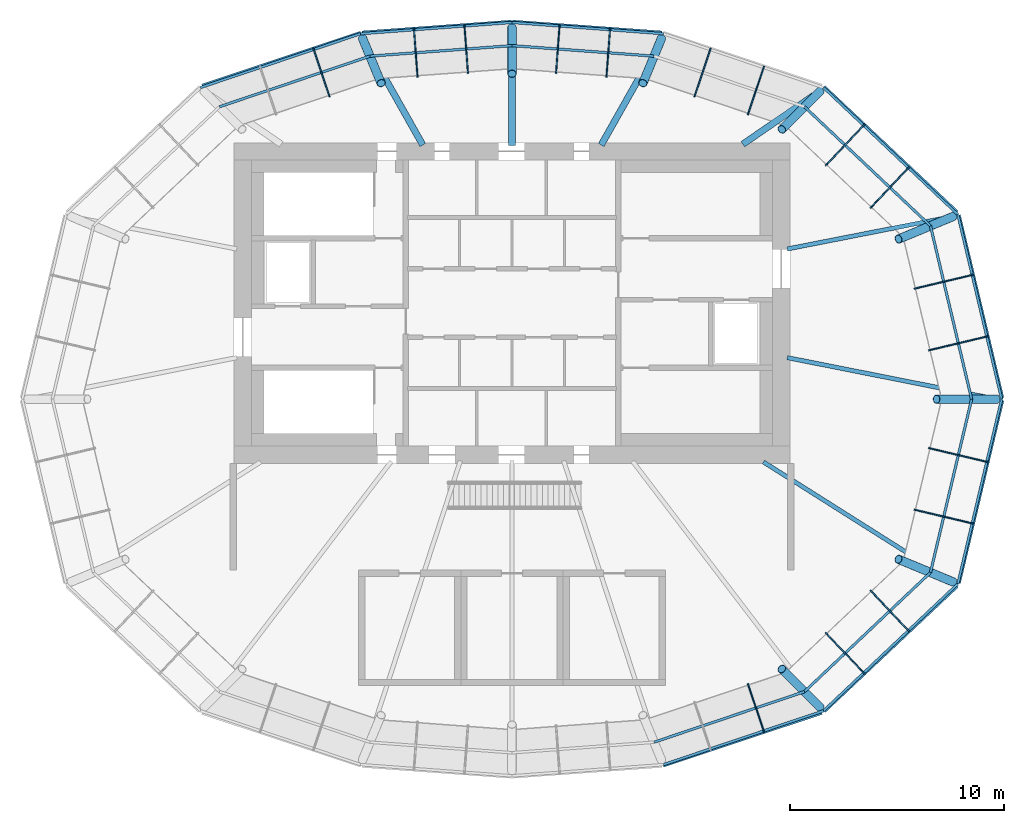
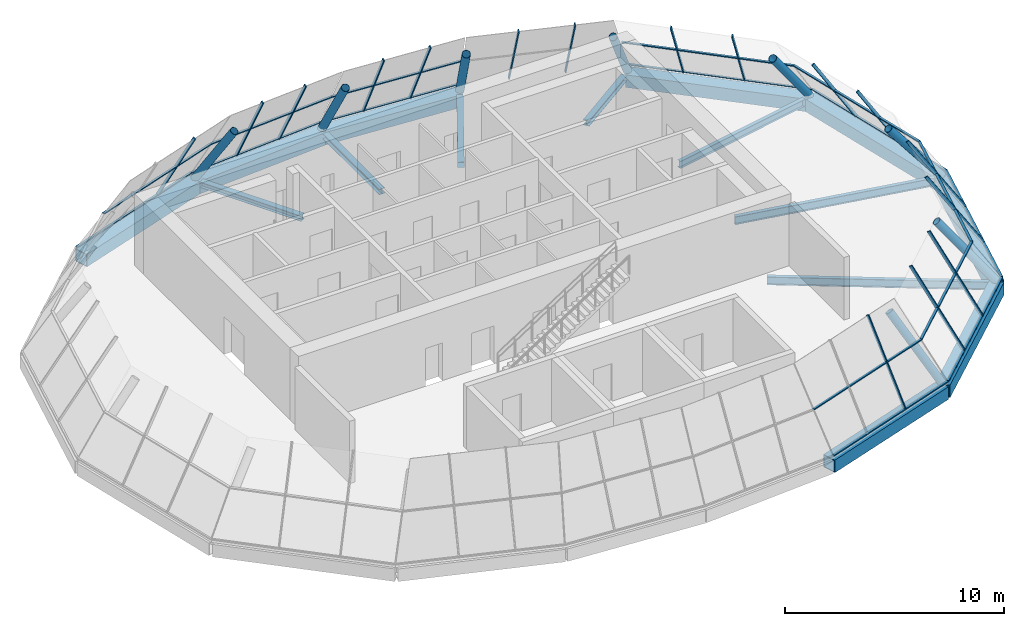
# One storey, part 2 of 8: 40 members, 15 beams, 9 elements without a shape of their own.
"""IFC4 building model written with IfcOpenShell, lengths in metres."""

from ifc_helpers import new_model, si_unit, direction, frame, origin, origin_2d, place, context, subcontext, project, spatial, rectangle, hollow_rectangle, hollow_circle, i_section, extrude, material, material_profile, profile_set, type_object, element, aggregate, save


model = new_model("IFC4")

# Units and contexts
model_context = context("Model", 3, precision=1e-05, world=origin(), true_north=direction((0.0, 1.0)))
body_context = subcontext(model_context, "Body", "Model", "MODEL_VIEW")
ifc_project = project(units=[si_unit("LENGTHUNIT", "METRE"), si_unit("AREAUNIT", "SQUARE_METRE"), si_unit("VOLUMEUNIT", "CUBIC_METRE"), si_unit("PLANEANGLEUNIT", "RADIAN"), si_unit("MASSUNIT", "GRAM", prefix="KILO")], contexts=[model_context])

# Site, building, storey
site_placement = place(None, origin())
site = spatial("IfcSite", under=ifc_project, at=site_placement, CompositionType="ELEMENT")
building_placement = place(site_placement, origin())
building = spatial("IfcBuilding", under=site, at=building_placement, Name="Rubra Terraces Tower", CompositionType="ELEMENT")
storey_placement = place(building_placement, frame((0.0, 0.0, 316.199951171875)))
storey = spatial("IfcBuildingStorey", under=building, at=storey_placement, Name="L78", CompositionType="ELEMENT", Elevation=316.199951171875)

# Members
ifc_material_1 = material(Name="Steel Q355B", Category="steel")
ifc_material_profile_1 = material_profile(ifc_material_1, hollow_circle(Radius=0.202880859375, WallThickness=0.01611328125, at=origin_2d()), Name="CHS 406x16")
ifc_profile_set_1 = profile_set([ifc_material_profile_1], Name="Steel Q355B")
member_type_1 = type_object("IfcMemberType", Name="CROWN POST CHS 406x16", PredefinedType="POST", material=ifc_profile_set_1)
member_1_placement = place(storey_placement, frame((22.68408203125, 0.0, -0.199951171875), z_axis=(-0.615998522019, 0.0, 0.787747307752), x_axis=(0.0, -1.0, 0.0)))
element("IfcMember", 1, at=member_1_placement, inside=storey, type_object=member_type_1, Name="CROWN POST", PredefinedType="POST", context=body_context, shape_type="SweptSolid", body=[
    extrude(hollow_circle(Radius=0.202880859375, WallThickness=0.01611328125, at=origin_2d()), origin(), (0.0, 0.0, 1.0), 4.570068359375),
])
member_2_placement = place(storey_placement, frame((20.649658203125, 8.5537109375, -0.199951171875), z_axis=(-0.563914666972, -0.233612582079, 0.792101893615), x_axis=(0.382727451417, -0.923861297994, 0.0)))
element("IfcMember", 2, at=member_2_placement, inside=storey, type_object=member_type_1, Name="CROWN POST", PredefinedType="POST", context=body_context, shape_type="SweptSolid", body=[
    extrude(hollow_circle(Radius=0.202880859375, WallThickness=0.01611328125, at=origin_2d()), origin(), (0.0, 0.0, 1.0), 4.544921875),
])
member_3_placement = place(storey_placement, frame((14.418212890625, 14.418212890625, -0.199951171875), z_axis=(-0.407027405897, -0.407027405897, 0.817714731247), x_axis=(0.707106781187, -0.707106781187, 0.0)))
element("IfcMember", 3, at=member_3_placement, inside=storey, type_object=member_type_1, Name="CROWN POST", PredefinedType="POST", context=body_context, shape_type="SweptSolid", body=[
    extrude(hollow_circle(Radius=0.202880859375, WallThickness=0.01611328125, at=origin_2d()), origin(), (0.0, 0.0, 1.0), 4.402587890625),
])
member_4_placement = place(storey_placement, frame((6.994873046875, 16.8876953125, -0.199951171875), z_axis=(-0.204367805696, -0.493200756675, 0.845568928953), x_axis=(0.923828290314, -0.382807118554, 0.0)))
element("IfcMember", 4, at=member_4_placement, inside=storey, type_object=member_type_1, Name="CROWN POST", PredefinedType="POST", context=body_context, shape_type="SweptSolid", body=[
    extrude(hollow_circle(Radius=0.202880859375, WallThickness=0.01611328125, at=origin_2d()), origin(), (0.0, 0.0, 1.0), 4.257568359375),
])
member_5_placement = place(storey_placement, frame((0.0, 17.39599609375, -0.199951171875), z_axis=(0.0, -0.515537908607, 0.856866771902), x_axis=(1.0, 0.0, 0.0)))
element("IfcMember", 5, at=member_5_placement, inside=storey, type_object=member_type_1, Name="CROWN POST", PredefinedType="POST", context=body_context, shape_type="SweptSolid", body=[
    extrude(hollow_circle(Radius=0.202880859375, WallThickness=0.01611328125, at=origin_2d()), origin(), (0.0, 0.0, 1.0), 4.201416015625),
])
member_6_placement = place(storey_placement, frame((-6.994873046875, 16.8876953125, -0.199951171875), z_axis=(0.204367805696, -0.493200756675, 0.845568928953), x_axis=(0.923828290314, 0.382807118554, 0.0)))
element("IfcMember", 6, at=member_6_placement, inside=storey, type_object=member_type_1, Name="CROWN POST", PredefinedType="POST", context=body_context, shape_type="SweptSolid", body=[
    extrude(hollow_circle(Radius=0.202880859375, WallThickness=0.01611328125, at=origin_2d()), origin(), (0.0, 0.0, 1.0), 4.257568359375),
])
member_7_placement = place(storey_placement, frame((14.418212890625, -14.418212890625, -0.199951171875), z_axis=(-0.407027405897, 0.407027405897, 0.817714731247), x_axis=(-0.707106781187, -0.707106781187, 0.0)))
element("IfcMember", 7, at=member_7_placement, inside=storey, type_object=member_type_1, Name="CROWN POST", PredefinedType="POST", context=body_context, shape_type="SweptSolid", body=[
    extrude(hollow_circle(Radius=0.202880859375, WallThickness=0.01611328125, at=origin_2d()), origin(), (0.0, 0.0, 1.0), 4.402587890625),
])
member_8_placement = place(storey_placement, frame((20.649658203125, -8.5537109375, -0.199951171875), z_axis=(-0.563914666972, 0.233612582079, 0.792101893615), x_axis=(-0.382727451417, -0.923861297994, 0.0)))
element("IfcMember", 8, at=member_8_placement, inside=storey, type_object=member_type_1, Name="CROWN POST", PredefinedType="POST", context=body_context, shape_type="SweptSolid", body=[
    extrude(hollow_circle(Radius=0.202880859375, WallThickness=0.01611328125, at=origin_2d()), origin(), (0.0, 0.0, 1.0), 4.544921875),
])

# Beams
ifc_material_profile_2 = material_profile(ifc_material_1, hollow_rectangle(XDim=0.699951171875, YDim=0.699951171875, WallThickness=0.034912109375, at=origin_2d()), Name="BOX 700x700x35")
ifc_profile_set_2 = profile_set([ifc_material_profile_2], Name="Steel Q355B")
beam_type_1 = type_object("IfcBeamType", Name="CROWN RING GIRDER BOX 700x700x35", PredefinedType="BEAM", material=ifc_profile_set_2)
beam_1_placement = place(storey_placement, frame((22.68408203125, 0.0, -0.550048828125), z_axis=(-0.231353991916, 0.972869636912, 0.0), x_axis=(-0.972869636912, -0.231353991916, 0.0)))
element("IfcBeam", 9, at=beam_1_placement, inside=storey, type_object=beam_type_1, Name="CROWN RING GIRDER", PredefinedType="BEAM", context=body_context, shape_type="SweptSolid", body=[
    extrude(hollow_rectangle(XDim=0.699951171875, YDim=0.699951171875, WallThickness=0.034912109375, at=origin_2d()), origin(), (0.0, 0.0, 1.0), 8.79248046875),
])
beam_2_placement = place(storey_placement, frame((20.64990234375, 8.553955078125, -0.550048828125), z_axis=(-0.728277884999, 0.685281929005, 0.0), x_axis=(-0.685281929005, -0.728277884999, 0.0)))
element("IfcBeam", 10, at=beam_2_placement, inside=storey, type_object=beam_type_1, Name="CROWN RING GIRDER", PredefinedType="BEAM", context=body_context, shape_type="SweptSolid", body=[
    extrude(hollow_rectangle(XDim=0.699951171875, YDim=0.699951171875, WallThickness=0.034912109375, at=origin_2d()), origin(), (0.0, 0.0, 1.0), 8.55712890625),
])
for number, where, z_axis, x_axis, name in (
    (11, (6.9951171875, 16.887939453125, -0.550048828125), (-0.997372817782, 0.072439370159, 0.0), (-0.072439370159, -0.997372817782, 0.0), "CROWN RING GIRDER"),
    (12, (0.0, 17.39599609375, -0.550048828125), (-0.997372817782, -0.072439370159, 0.0), (0.072439370159, -0.997372817782, 0.0), "CROWN RING GIRDER"),
):
    element("IfcBeam", number, at=place(storey_placement, frame(where, z_axis=z_axis, x_axis=x_axis)), inside=storey, type_object=beam_type_1, Name=name, PredefinedType="BEAM", context=body_context, shape_type="SweptSolid", body=[
        extrude(hollow_rectangle(XDim=0.699951171875, YDim=0.699951171875, WallThickness=0.034912109375, at=origin_2d()), origin(), (0.0, 0.0, 1.0), 7.013427734375),
    ])
for number, where, z_axis, x_axis, name in (
    (13, (-6.9951171875, 16.887939453125, -0.550048828125), (-0.948848570774, -0.315731515278, 0.0), (0.315731515278, -0.948848570774, 0.0), "CROWN RING GIRDER"),
    (14, (6.9951171875, -16.887939453125, -0.550048828125), (0.948848570774, 0.315731515278, 0.0), (-0.315731515278, 0.948848570774, 0.0), "CROWN RING GIRDER"),
):
    element("IfcBeam", number, at=place(storey_placement, frame(where, z_axis=z_axis, x_axis=x_axis)), inside=storey, type_object=beam_type_1, Name=name, PredefinedType="BEAM", context=body_context, shape_type="SweptSolid", body=[
        extrude(hollow_rectangle(XDim=0.699951171875, YDim=0.699951171875, WallThickness=0.034912109375, at=origin_2d()), origin(), (0.0, 0.0, 1.0), 7.822998046875),
    ])
beam_3_placement = place(storey_placement, frame((14.41796875, -14.41796875, -0.550048828125), z_axis=(0.728277884999, 0.685281929005, 0.0), x_axis=(-0.685281929005, 0.728277884999, 0.0)))
element("IfcBeam", 15, at=beam_3_placement, inside=storey, type_object=beam_type_1, Name="CROWN RING GIRDER", PredefinedType="BEAM", context=body_context, shape_type="SweptSolid", body=[
    extrude(hollow_rectangle(XDim=0.699951171875, YDim=0.699951171875, WallThickness=0.034912109375, at=origin_2d()), origin(), (0.0, 0.0, 1.0), 8.55712890625),
])
beam_4_placement = place(storey_placement, frame((20.64990234375, -8.553955078125, -0.550048828125), z_axis=(0.231353991916, 0.972869636912, 0.0), x_axis=(-0.972869636912, 0.231353991916, 0.0)))
element("IfcBeam", 16, at=beam_4_placement, inside=storey, type_object=beam_type_1, Name="CROWN RING GIRDER", PredefinedType="BEAM", context=body_context, shape_type="SweptSolid", body=[
    extrude(hollow_rectangle(XDim=0.699951171875, YDim=0.699951171875, WallThickness=0.034912109375, at=origin_2d()), origin(), (0.0, 0.0, 1.0), 8.79248046875),
])

# Curtain wall, members
ifc_material_2 = material(Name="Aluminium and glass", Category="aluminium")
curtain_wall_type = type_object("IfcCurtainWallType", Name="Curtain wall Crown glazing", PredefinedType="NOTDEFINED", material=ifc_material_2)
curtain_wall_1_placement = place(storey_placement, origin())
curtain_wall_1 = element("IfcCurtainWall", 17, at=curtain_wall_1_placement, inside=storey, type_object=curtain_wall_type, Name="Crown glazing L78 facet 1", PredefinedType="NOTDEFINED")
ifc_material_3 = material(Name="Aluminium, anodised dark grey", Category="aluminium")
ifc_material_profile_3 = material_profile(ifc_material_3, rectangle(XDim=0.06005859375, YDim=0.159912109375, at=origin_2d()), Name="AL 60x160")
ifc_profile_set_3 = profile_set([ifc_material_profile_3], Name="Aluminium, anodised dark grey")
member_type_2 = type_object("IfcMemberType", Name="Crown glazing mullion 60 x 160", PredefinedType="MULLION", material=ifc_profile_set_3)
member_9_placement = place(storey_placement, frame((22.220947265625, 2.931884765625, 0.0), z_axis=(-0.531463799412, -0.126158745238, 0.837633691368), x_axis=(0.23096168003, -0.972962847368, 0.0)))
member_9 = element("IfcMember", 18, at=member_9_placement, type_object=member_type_2, Name="Crown glazing L78 facet 1 mullion 1", PredefinedType="MULLION", context=body_context, shape_type="SweptSolid", body=[
    extrude(rectangle(XDim=0.06005859375, YDim=0.159912109375, at=origin_2d()), origin(), (0.0, 0.0, 1.0), 5.01416015625),
])
member_10_placement = place(storey_placement, frame((21.536865234375, 5.812744140625, 0.0), z_axis=(-0.531463799412, -0.126158745238, 0.837633691368), x_axis=(0.23096168003, -0.972962847368, 0.0)))
member_10 = element("IfcMember", 19, at=member_10_placement, type_object=member_type_2, Name="Crown glazing L78 facet 1 mullion 2", PredefinedType="MULLION", context=body_context, shape_type="SweptSolid", body=[
    extrude(rectangle(XDim=0.06005859375, YDim=0.159912109375, at=origin_2d()), origin(), (0.0, 0.0, 1.0), 5.01416015625),
])

curtain_wall_2_placement = place(storey_placement, origin())
curtain_wall_2 = element("IfcCurtainWall", 20, at=curtain_wall_2_placement, inside=storey, type_object=curtain_wall_type, Name="Crown glazing L78 facet 2", PredefinedType="NOTDEFINED")
member_11_placement = place(storey_placement, frame((18.552490234375, 10.82958984375, 0.0), z_axis=(-0.354862307471, -0.375221219487, 0.85631873691), x_axis=(0.72654253997, -0.687121486793, 0.0)))
member_11 = element("IfcMember", 21, at=member_11_placement, type_object=member_type_2, Name="Crown glazing L78 facet 2 mullion 1", PredefinedType="MULLION", context=body_context, shape_type="SweptSolid", body=[
    extrude(rectangle(XDim=0.06005859375, YDim=0.159912109375, at=origin_2d()), origin(), (0.0, 0.0, 1.0), 4.904541015625),
])
member_12_placement = place(storey_placement, frame((16.45849609375, 12.809814453125, 0.0), z_axis=(-0.354855679278, -0.375263987387, 0.856302742408), x_axis=(0.726588041538, -0.687073371551, 0.0)))
member_12 = element("IfcMember", 22, at=member_12_placement, type_object=member_type_2, Name="Crown glazing L78 facet 2 mullion 2", PredefinedType="MULLION", context=body_context, shape_type="SweptSolid", body=[
    extrude(rectangle(XDim=0.06005859375, YDim=0.159912109375, at=origin_2d()), origin(), (0.0, 0.0, 1.0), 4.90478515625),
])

curtain_wall_3_placement = place(storey_placement, origin())
curtain_wall_3 = element("IfcCurtainWall", 23, at=curtain_wall_3_placement, inside=storey, type_object=curtain_wall_type, Name="Crown glazing L78 facet 3", PredefinedType="NOTDEFINED")
member_13_placement = place(storey_placement, frame((11.779296875, 15.525146484375, 0.0), z_axis=(-0.151440150676, -0.45048458195, 0.879846306004), x_axis=(0.947873095388, -0.318648073961, 0.0)))
member_13 = element("IfcMember", 24, at=member_13_placement, type_object=member_type_2, Name="Crown glazing L78 facet 3 mullion 1", PredefinedType="MULLION", context=body_context, shape_type="SweptSolid", body=[
    extrude(rectangle(XDim=0.06005859375, YDim=0.159912109375, at=origin_2d()), origin(), (0.0, 0.0, 1.0), 4.7734375),
])
member_14_placement = place(storey_placement, frame((9.279541015625, 16.365234375, 0.0), z_axis=(-0.151390178125, -0.450488070583, 0.879853119691), x_axis=(0.94790559539, -0.31855138083, 0.0)))
member_14 = element("IfcMember", 25, at=member_14_placement, type_object=member_type_2, Name="Crown glazing L78 facet 3 mullion 2", PredefinedType="MULLION", context=body_context, shape_type="SweptSolid", body=[
    extrude(rectangle(XDim=0.06005859375, YDim=0.159912109375, at=origin_2d()), origin(), (0.0, 0.0, 1.0), 4.7734375),
])
aggregate(curtain_wall_3, [member_13, member_14])

curtain_wall_4_placement = place(storey_placement, origin())
curtain_wall_4 = element("IfcCurtainWall", 26, at=curtain_wall_4_placement, inside=storey, type_object=curtain_wall_type, Name="Crown glazing L78 facet 4", PredefinedType="NOTDEFINED")
member_15_placement = place(storey_placement, frame((4.585205078125, 17.28857421875, 0.0), z_axis=(-0.033860993346, -0.456011942452, 0.889329264936), x_axis=(0.997254474132, -0.074050751679, 0.0)))
member_15 = element("IfcMember", 27, at=member_15_placement, type_object=member_type_2, Name="Crown glazing L78 facet 4 mullion 1", PredefinedType="MULLION", context=body_context, shape_type="SweptSolid", body=[
    extrude(rectangle(XDim=0.06005859375, YDim=0.159912109375, at=origin_2d()), origin(), (0.0, 0.0, 1.0), 4.72265625),
])
member_16_placement = place(storey_placement, frame((2.223876953125, 17.4638671875, 0.0), z_axis=(-0.033861791571, -0.455970994889, 0.889350229601), x_axis=(0.997253854091, -0.074059101409, 0.0)))
member_16 = element("IfcMember", 28, at=member_16_placement, type_object=member_type_2, Name="Crown glazing L78 facet 4 mullion 2", PredefinedType="MULLION", context=body_context, shape_type="SweptSolid", body=[
    extrude(rectangle(XDim=0.06005859375, YDim=0.159912109375, at=origin_2d()), origin(), (0.0, 0.0, 1.0), 4.722412109375),
])

curtain_wall_5_placement = place(storey_placement, origin())
curtain_wall_5 = element("IfcCurtainWall", 29, at=curtain_wall_5_placement, inside=storey, type_object=curtain_wall_type, Name="Crown glazing L78 facet 5", PredefinedType="NOTDEFINED")
member_17_placement = place(storey_placement, frame((-2.223876953125, 17.4638671875, 0.0), z_axis=(0.033861791571, -0.455970994889, 0.889350229601), x_axis=(0.997253854091, 0.074059101409, 0.0)))
member_17 = element("IfcMember", 30, at=member_17_placement, type_object=member_type_2, Name="Crown glazing L78 facet 5 mullion 1", PredefinedType="MULLION", context=body_context, shape_type="SweptSolid", body=[
    extrude(rectangle(XDim=0.06005859375, YDim=0.159912109375, at=origin_2d()), origin(), (0.0, 0.0, 1.0), 4.722412109375),
])
member_18_placement = place(storey_placement, frame((-4.585205078125, 17.28857421875, 0.0), z_axis=(0.033860993346, -0.456011942452, 0.889329264936), x_axis=(0.997254474132, 0.074050751679, 0.0)))
member_18 = element("IfcMember", 31, at=member_18_placement, type_object=member_type_2, Name="Crown glazing L78 facet 5 mullion 2", PredefinedType="MULLION", context=body_context, shape_type="SweptSolid", body=[
    extrude(rectangle(XDim=0.06005859375, YDim=0.159912109375, at=origin_2d()), origin(), (0.0, 0.0, 1.0), 4.72265625),
])

# Curtain wall, member
curtain_wall_6_placement = place(storey_placement, origin())
curtain_wall_6 = element("IfcCurtainWall", 32, at=curtain_wall_6_placement, inside=storey, type_object=curtain_wall_type, Name="Crown glazing L78 facet 6", PredefinedType="NOTDEFINED")
member_19_placement = place(storey_placement, frame((-9.279541015625, 16.365234375, 0.0), z_axis=(0.151390178125, -0.450488070583, 0.879853119691), x_axis=(0.94790559539, 0.31855138083, 0.0)))
member_19 = element("IfcMember", 33, at=member_19_placement, type_object=member_type_2, Name="Crown glazing L78 facet 6 mullion 1", PredefinedType="MULLION", context=body_context, shape_type="SweptSolid", body=[
    extrude(rectangle(XDim=0.06005859375, YDim=0.159912109375, at=origin_2d()), origin(), (0.0, 0.0, 1.0), 4.7734375),
])

curtain_wall_7_placement = place(storey_placement, origin())
curtain_wall_7 = element("IfcCurtainWall", 34, at=curtain_wall_7_placement, inside=storey, type_object=curtain_wall_type, Name="Crown glazing L78 facet 14", PredefinedType="NOTDEFINED")
member_20_placement = place(storey_placement, frame((11.779296875, -15.525146484375, 0.0), z_axis=(-0.151440150676, 0.45048458195, 0.879846306004), x_axis=(-0.947873095388, -0.318648073961, 0.0)))
member_20 = element("IfcMember", 35, at=member_20_placement, type_object=member_type_2, Name="Crown glazing L78 facet 14 mullion 2", PredefinedType="MULLION", context=body_context, shape_type="SweptSolid", body=[
    extrude(rectangle(XDim=0.06005859375, YDim=0.159912109375, at=origin_2d()), origin(), (0.0, 0.0, 1.0), 4.7734375),
])

# Curtain wall, members
curtain_wall_8_placement = place(storey_placement, origin())
curtain_wall_8 = element("IfcCurtainWall", 36, at=curtain_wall_8_placement, inside=storey, type_object=curtain_wall_type, Name="Crown glazing L78 facet 15", PredefinedType="NOTDEFINED")
member_21_placement = place(storey_placement, frame((16.45849609375, -12.809814453125, 0.0), z_axis=(-0.354855679278, 0.375263987387, 0.856302742408), x_axis=(-0.726588041538, -0.687073371551, 0.0)))
member_21 = element("IfcMember", 37, at=member_21_placement, type_object=member_type_2, Name="Crown glazing L78 facet 15 mullion 1", PredefinedType="MULLION", context=body_context, shape_type="SweptSolid", body=[
    extrude(rectangle(XDim=0.06005859375, YDim=0.159912109375, at=origin_2d()), origin(), (0.0, 0.0, 1.0), 4.90478515625),
])
member_22_placement = place(storey_placement, frame((18.552490234375, -10.82958984375, 0.0), z_axis=(-0.354862307471, 0.375221219487, 0.85631873691), x_axis=(-0.72654253997, -0.687121486793, 0.0)))
member_22 = element("IfcMember", 38, at=member_22_placement, type_object=member_type_2, Name="Crown glazing L78 facet 15 mullion 2", PredefinedType="MULLION", context=body_context, shape_type="SweptSolid", body=[
    extrude(rectangle(XDim=0.06005859375, YDim=0.159912109375, at=origin_2d()), origin(), (0.0, 0.0, 1.0), 4.904541015625),
])

curtain_wall_9_placement = place(storey_placement, origin())
curtain_wall_9 = element("IfcCurtainWall", 39, at=curtain_wall_9_placement, inside=storey, type_object=curtain_wall_type, Name="Crown glazing L78 facet 16", PredefinedType="NOTDEFINED")
member_23_placement = place(storey_placement, frame((21.536865234375, -5.812744140625, 0.0), z_axis=(-0.531463799412, 0.126158745238, 0.837633691368), x_axis=(-0.23096168003, -0.972962847368, 0.0)))
member_23 = element("IfcMember", 40, at=member_23_placement, type_object=member_type_2, Name="Crown glazing L78 facet 16 mullion 1", PredefinedType="MULLION", context=body_context, shape_type="SweptSolid", body=[
    extrude(rectangle(XDim=0.06005859375, YDim=0.159912109375, at=origin_2d()), origin(), (0.0, 0.0, 1.0), 5.01416015625),
])
member_24_placement = place(storey_placement, frame((22.220947265625, -2.931884765625, 0.0), z_axis=(-0.531463799412, 0.126158745238, 0.837633691368), x_axis=(-0.23096168003, -0.972962847368, 0.0)))
member_24 = element("IfcMember", 41, at=member_24_placement, type_object=member_type_2, Name="Crown glazing L78 facet 16 mullion 2", PredefinedType="MULLION", context=body_context, shape_type="SweptSolid", body=[
    extrude(rectangle(XDim=0.06005859375, YDim=0.159912109375, at=origin_2d()), origin(), (0.0, 0.0, 1.0), 5.01416015625),
])

# Member
ifc_material_profile_4 = material_profile(ifc_material_3, rectangle(XDim=0.1201171875, YDim=0.06005859375, at=origin_2d()), Name="AL 120x60")
ifc_profile_set_4 = profile_set([ifc_material_profile_4], Name="Aluminium, anodised dark grey")
member_type_3 = type_object("IfcMemberType", Name="Crown glazing transom 120 x 60", PredefinedType="USERDEFINED", material=ifc_profile_set_4)
member_25_placement = place(storey_placement, frame((22.9169921875, 0.0, 0.0), z_axis=(-0.230995033634, 0.972954929293, 0.0), x_axis=(-0.972954929293, -0.230995033634, 0.0)))
member_25 = element("IfcMember", 42, at=member_25_placement, type_object=member_type_3, Name="Crown glazing L78 facet 1 transom 1", ObjectType="TRANSOM", PredefinedType="USERDEFINED", context=body_context, shape_type="SweptSolid", body=[
    extrude(rectangle(XDim=0.1201171875, YDim=0.06005859375, at=origin_2d()), origin(), (0.0, 0.0, 1.0), 8.88330078125),
])

member_26_placement = place(storey_placement, frame((21.509521484375, 0.0, 2.10009765625), z_axis=(-0.231005559401, 0.972952430248, 0.0), x_axis=(-0.972952430248, -0.231005559401, 0.0)))
member_26 = element("IfcMember", 43, at=member_26_placement, type_object=member_type_3, Name="Crown glazing L78 facet 1 transom 2", ObjectType="TRANSOM", PredefinedType="USERDEFINED", context=body_context, shape_type="SweptSolid", body=[
    extrude(rectangle(XDim=0.1201171875, YDim=0.06005859375, at=origin_2d()), origin(), (0.0, 0.0, 1.0), 8.337646484375),
])

aggregate(curtain_wall_1, [member_9, member_10, member_25, member_26])

member_27_placement = place(storey_placement, frame((20.864990234375, 8.64306640625, 0.0), z_axis=(-0.726611282361, 0.687048793278, 0.0), x_axis=(-0.687048793278, -0.726611282361, 0.0)))
member_27 = element("IfcMember", 44, at=member_27_placement, type_object=member_type_3, Name="Crown glazing L78 facet 2 transom 1", ObjectType="TRANSOM", PredefinedType="USERDEFINED", context=body_context, shape_type="SweptSolid", body=[
    extrude(rectangle(XDim=0.1201171875, YDim=0.06005859375, at=origin_2d()), origin(), (0.0, 0.0, 1.0), 8.6455078125),
])

member_28_placement = place(storey_placement, frame((19.58349609375, 8.11181640625, 2.10009765625), z_axis=(-0.726625900418, 0.687033333138, 0.0), x_axis=(-0.687033333138, -0.726625900418, 0.0)))
member_28 = element("IfcMember", 45, at=member_28_placement, type_object=member_type_3, Name="Crown glazing L78 facet 2 transom 2", ObjectType="TRANSOM", PredefinedType="USERDEFINED", context=body_context, shape_type="SweptSolid", body=[
    extrude(rectangle(XDim=0.1201171875, YDim=0.06005859375, at=origin_2d()), origin(), (0.0, 0.0, 1.0), 8.114990234375),
])

aggregate(curtain_wall_2, [member_11, member_12, member_27, member_28])

member_29_placement = place(storey_placement, frame((7.083984375, 17.10302734375, 0.0), z_axis=(-0.997255925831, 0.074031198795, 0.0), x_axis=(-0.074031198795, -0.997255925831, 0.0)))
member_29 = element("IfcMember", 46, at=member_29_placement, type_object=member_type_3, Name="Crown glazing L78 facet 4 transom 1", ObjectType="TRANSOM", PredefinedType="USERDEFINED", context=body_context, shape_type="SweptSolid", body=[
    extrude(rectangle(XDim=0.1201171875, YDim=0.06005859375, at=origin_2d()), origin(), (0.0, 0.0, 1.0), 7.103515625),
])

member_30_placement = place(storey_placement, frame((6.64892578125, 16.052734375, 2.10009765625), z_axis=(-0.99725515097, 0.074041636016, 0.0), x_axis=(-0.074041636016, -0.99725515097, 0.0)))
member_30 = element("IfcMember", 47, at=member_30_placement, type_object=member_type_3, Name="Crown glazing L78 facet 4 transom 2", ObjectType="TRANSOM", PredefinedType="USERDEFINED", context=body_context, shape_type="SweptSolid", body=[
    extrude(rectangle(XDim=0.1201171875, YDim=0.06005859375, at=origin_2d()), origin(), (0.0, 0.0, 1.0), 6.667236328125),
])

aggregate(curtain_wall_4, [member_15, member_16, member_29, member_30])

member_31_placement = place(storey_placement, frame((0.0, 17.62890625, 0.0), z_axis=(-0.997255925831, -0.074031198795, 0.0), x_axis=(0.074031198795, -0.997255925831, 0.0)))
member_31 = element("IfcMember", 48, at=member_31_placement, type_object=member_type_3, Name="Crown glazing L78 facet 5 transom 1", ObjectType="TRANSOM", PredefinedType="USERDEFINED", context=body_context, shape_type="SweptSolid", body=[
    extrude(rectangle(XDim=0.1201171875, YDim=0.06005859375, at=origin_2d()), origin(), (0.0, 0.0, 1.0), 7.103515625),
])

member_32_placement = place(storey_placement, frame((0.0, 16.54638671875, 2.10009765625), z_axis=(-0.99725515097, -0.074041636016, 0.0), x_axis=(0.074041636016, -0.99725515097, 0.0)))
member_32 = element("IfcMember", 49, at=member_32_placement, type_object=member_type_3, Name="Crown glazing L78 facet 5 transom 2", ObjectType="TRANSOM", PredefinedType="USERDEFINED", context=body_context, shape_type="SweptSolid", body=[
    extrude(rectangle(XDim=0.1201171875, YDim=0.06005859375, at=origin_2d()), origin(), (0.0, 0.0, 1.0), 6.667236328125),
])

aggregate(curtain_wall_5, [member_17, member_18, member_31, member_32])

member_33_placement = place(storey_placement, frame((-7.083984375, 17.10302734375, 0.0), z_axis=(-0.947908963881, -0.318541357116, 0.0), x_axis=(0.318541357116, -0.947908963881, 0.0)))
member_33 = element("IfcMember", 50, at=member_33_placement, type_object=member_type_3, Name="Crown glazing L78 facet 6 transom 1", ObjectType="TRANSOM", PredefinedType="USERDEFINED", context=body_context, shape_type="SweptSolid", body=[
    extrude(rectangle(XDim=0.1201171875, YDim=0.06005859375, at=origin_2d()), origin(), (0.0, 0.0, 1.0), 7.9111328125),
])

member_34_placement = place(storey_placement, frame((-6.64892578125, 16.052490234375, 2.10009765625), z_axis=(-0.947914369577, -0.318525270504, 0.0), x_axis=(0.318525270504, -0.947914369577, 0.0)))
member_34 = element("IfcMember", 51, at=member_34_placement, type_object=member_type_3, Name="Crown glazing L78 facet 6 transom 2", ObjectType="TRANSOM", PredefinedType="USERDEFINED", context=body_context, shape_type="SweptSolid", body=[
    extrude(rectangle(XDim=0.1201171875, YDim=0.06005859375, at=origin_2d()), origin(), (0.0, 0.0, 1.0), 7.4248046875),
])

aggregate(curtain_wall_6, [member_19, member_33, member_34])

member_35_placement = place(storey_placement, frame((7.083984375, -17.10302734375, 0.0), z_axis=(0.947908963881, 0.318541357116, 0.0), x_axis=(-0.318541357116, 0.947908963881, 0.0)))
member_35 = element("IfcMember", 52, at=member_35_placement, type_object=member_type_3, Name="Crown glazing L78 facet 14 transom 1", ObjectType="TRANSOM", PredefinedType="USERDEFINED", context=body_context, shape_type="SweptSolid", body=[
    extrude(rectangle(XDim=0.1201171875, YDim=0.06005859375, at=origin_2d()), origin(), (0.0, 0.0, 1.0), 7.9111328125),
])

member_36_placement = place(storey_placement, frame((6.64892578125, -16.052490234375, 2.10009765625), z_axis=(0.947914369577, 0.318525270504, 0.0), x_axis=(-0.318525270504, 0.947914369577, 0.0)))
member_36 = element("IfcMember", 53, at=member_36_placement, type_object=member_type_3, Name="Crown glazing L78 facet 14 transom 2", ObjectType="TRANSOM", PredefinedType="USERDEFINED", context=body_context, shape_type="SweptSolid", body=[
    extrude(rectangle(XDim=0.1201171875, YDim=0.06005859375, at=origin_2d()), origin(), (0.0, 0.0, 1.0), 7.4248046875),
])

aggregate(curtain_wall_7, [member_20, member_35, member_36])

member_37_placement = place(storey_placement, frame((14.5830078125, -14.5830078125, 0.0), z_axis=(0.726611282361, 0.687048793278, 0.0), x_axis=(-0.687048793278, 0.726611282361, 0.0)))
member_37 = element("IfcMember", 54, at=member_37_placement, type_object=member_type_3, Name="Crown glazing L78 facet 15 transom 1", ObjectType="TRANSOM", PredefinedType="USERDEFINED", context=body_context, shape_type="SweptSolid", body=[
    extrude(rectangle(XDim=0.1201171875, YDim=0.06005859375, at=origin_2d()), origin(), (0.0, 0.0, 1.0), 8.6455078125),
])

member_38_placement = place(storey_placement, frame((13.68701171875, -13.68701171875, 2.10009765625), z_axis=(0.726625900418, 0.687033333138, 0.0), x_axis=(-0.687033333138, 0.726625900418, 0.0)))
member_38 = element("IfcMember", 55, at=member_38_placement, type_object=member_type_3, Name="Crown glazing L78 facet 15 transom 2", ObjectType="TRANSOM", PredefinedType="USERDEFINED", context=body_context, shape_type="SweptSolid", body=[
    extrude(rectangle(XDim=0.1201171875, YDim=0.06005859375, at=origin_2d()), origin(), (0.0, 0.0, 1.0), 8.114990234375),
])

aggregate(curtain_wall_8, [member_21, member_22, member_37, member_38])

member_39_placement = place(storey_placement, frame((20.864990234375, -8.64306640625, 0.0), z_axis=(0.230995033634, 0.972954929293, 0.0), x_axis=(-0.972954929293, 0.230995033634, 0.0)))
member_39 = element("IfcMember", 56, at=member_39_placement, type_object=member_type_3, Name="Crown glazing L78 facet 16 transom 1", ObjectType="TRANSOM", PredefinedType="USERDEFINED", context=body_context, shape_type="SweptSolid", body=[
    extrude(rectangle(XDim=0.1201171875, YDim=0.06005859375, at=origin_2d()), origin(), (0.0, 0.0, 1.0), 8.88330078125),
])

member_40_placement = place(storey_placement, frame((19.58349609375, -8.112060546875, 2.10009765625), z_axis=(0.231005559401, 0.972952430248, 0.0), x_axis=(-0.972952430248, 0.231005559401, 0.0)))
member_40 = element("IfcMember", 57, at=member_40_placement, type_object=member_type_3, Name="Crown glazing L78 facet 16 transom 2", ObjectType="TRANSOM", PredefinedType="USERDEFINED", context=body_context, shape_type="SweptSolid", body=[
    extrude(rectangle(XDim=0.1201171875, YDim=0.06005859375, at=origin_2d()), origin(), (0.0, 0.0, 1.0), 8.337646484375),
])

aggregate(curtain_wall_9, [member_23, member_24, member_39, member_40])

# Beams
ifc_material_profile_5 = material_profile(ifc_material_1, i_section(OverallWidth=0.199951171875, OverallDepth=0.39990234375, WebThickness=0.008056640625, FlangeThickness=0.012939453125, at=origin_2d()), Name="HN 400x200x8x13")
ifc_profile_set_5 = profile_set([ifc_material_profile_5], Name="Steel Q355B")
beam_type_2 = type_object("IfcBeamType", Name="FLOOR BEAM HN 400x200x8x13", PredefinedType="BEAM", material=ifc_profile_set_5)
beam_5_placement = place(storey_placement, frame((20.305908203125, 8.486083984375, -0.39990234375), z_axis=(-0.981279324935, -0.192589943805, 0.0), x_axis=(0.192589943805, -0.981279324935, 0.0)))
element("IfcBeam", 58, at=beam_5_placement, inside=storey, type_object=beam_type_2, Name="beam-L78-crown-floor-02", PredefinedType="BEAM", context=body_context, shape_type="SweptSolid", body=[
    extrude(i_section(OverallWidth=0.199951171875, OverallDepth=0.39990234375, WebThickness=0.008056640625, FlangeThickness=0.012939453125, at=origin_2d()), origin(), (0.0, 0.0, 1.0), 7.5654296875),
])
ifc_material_profile_6 = material_profile(ifc_material_1, i_section(OverallWidth=0.198974609375, OverallDepth=0.446044921875, WebThickness=0.008056640625, FlangeThickness=0.011962890625, at=origin_2d()), Name="HN 446x199x8x12")
ifc_profile_set_6 = profile_set([ifc_material_profile_6], Name="Steel Q355B")
beam_type_3 = type_object("IfcBeamType", Name="FLOOR BEAM HN 446x199x8x12", PredefinedType="BEAM", material=ifc_profile_set_6)
beam_6_placement = place(storey_placement, frame((22.341064453125, 0.068115234375, -0.4228515625), z_axis=(-0.98089489982, 0.194538416535, 0.0), x_axis=(-0.194538416535, -0.98089489982, 0.0)))
element("IfcBeam", 59, at=beam_6_placement, inside=storey, type_object=beam_type_3, Name="beam-L78-crown-floor-01", PredefinedType="BEAM", context=body_context, shape_type="SweptSolid", body=[
    extrude(i_section(OverallWidth=0.198974609375, OverallDepth=0.446044921875, WebThickness=0.008056640625, FlangeThickness=0.011962890625, at=origin_2d()), origin(), (0.0, 0.0, 1.0), 9.643310546875),
])
beam_7_placement = place(storey_placement, frame((20.35400390625, -8.366943359375, -0.4228515625), z_axis=(-0.845267934461, 0.534342698062, 0.0), x_axis=(-0.534342698062, -0.845267934461, 0.0)))
element("IfcBeam", 60, at=beam_7_placement, inside=storey, type_object=beam_type_3, Name="beam-L78-crown-floor-16", PredefinedType="BEAM", context=body_context, shape_type="SweptSolid", body=[
    extrude(i_section(OverallWidth=0.198974609375, OverallDepth=0.446044921875, WebThickness=0.008056640625, FlangeThickness=0.011962890625, at=origin_2d()), origin(), (0.0, 0.0, 1.0), 10.163818359375),
])
ifc_material_profile_7 = material_profile(ifc_material_1, i_section(OverallWidth=0.304931640625, OverallDepth=0.300048828125, WebThickness=0.014892578125, FlangeThickness=0.014892578125, at=origin_2d()), Name="HW 300x305x15x15")
ifc_profile_set_7 = profile_set([ifc_material_profile_7], Name="Steel Q355B")
beam_type_4 = type_object("IfcBeamType", Name="FLOOR BEAM HW 300x305x15x15", PredefinedType="BEAM", material=ifc_profile_set_7)
beam_8_placement = place(storey_placement, frame((14.1298828125, 14.219970703125, -0.349853515625), z_axis=(-0.823867193842, -0.566782892218, 0.0), x_axis=(0.566782892218, -0.823867193842, 0.0)))
element("IfcBeam", 61, at=beam_8_placement, inside=storey, type_object=beam_type_4, Name="beam-L78-crown-floor-03", PredefinedType="BEAM", context=body_context, shape_type="SweptSolid", body=[
    extrude(i_section(OverallWidth=0.304931640625, OverallDepth=0.300048828125, WebThickness=0.014892578125, FlangeThickness=0.014892578125, at=origin_2d()), origin(), (0.0, 0.0, 1.0), 4.036865234375),
])
beam_9_placement = place(storey_placement, frame((6.822998046875, 16.5830078125, -0.349853515625), z_axis=(-0.491746363394, -0.870738487773, 0.0), x_axis=(0.870738487773, -0.491746363394, 0.0)))
element("IfcBeam", 62, at=beam_9_placement, inside=storey, type_object=beam_type_4, Name="beam-L78-crown-floor-04", PredefinedType="BEAM", context=body_context, shape_type="SweptSolid", body=[
    extrude(i_section(OverallWidth=0.304931640625, OverallDepth=0.300048828125, WebThickness=0.014892578125, FlangeThickness=0.014892578125, at=origin_2d()), origin(), (0.0, 0.0, 1.0), 5.3828125),
])
beam_10_placement = place(storey_placement, frame((0.0, 17.0458984375, -0.349853515625), z_axis=(0.0, -1.0, 0.0), x_axis=(1.0, 0.0, 0.0)))
element("IfcBeam", 63, at=beam_10_placement, inside=storey, type_object=beam_type_4, Name="beam-L78-crown-floor-05", PredefinedType="BEAM", context=body_context, shape_type="SweptSolid", body=[
    extrude(i_section(OverallWidth=0.304931640625, OverallDepth=0.300048828125, WebThickness=0.014892578125, FlangeThickness=0.014892578125, at=origin_2d()), origin(), (0.0, 0.0, 1.0), 5.166015625),
])
beam_11_placement = place(storey_placement, frame((-6.822998046875, 16.5830078125, -0.349853515625), z_axis=(0.491746363394, -0.870738487773, 0.0), x_axis=(0.870738487773, 0.491746363394, 0.0)))
element("IfcBeam", 64, at=beam_11_placement, inside=storey, type_object=beam_type_4, Name="beam-L78-crown-floor-06", PredefinedType="BEAM", context=body_context, shape_type="SweptSolid", body=[
    extrude(i_section(OverallWidth=0.304931640625, OverallDepth=0.300048828125, WebThickness=0.014892578125, FlangeThickness=0.014892578125, at=origin_2d()), origin(), (0.0, 0.0, 1.0), 5.3828125),
])

save(model, "model.ifc")
